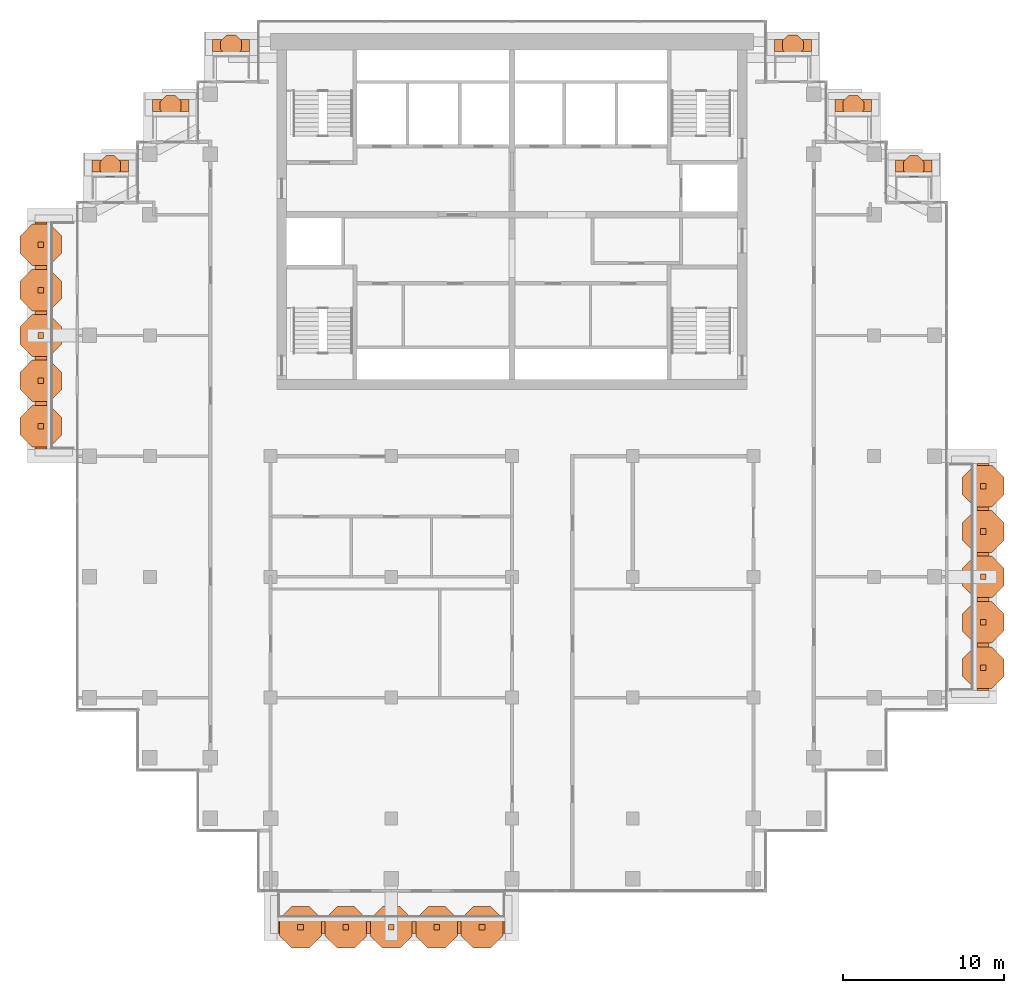
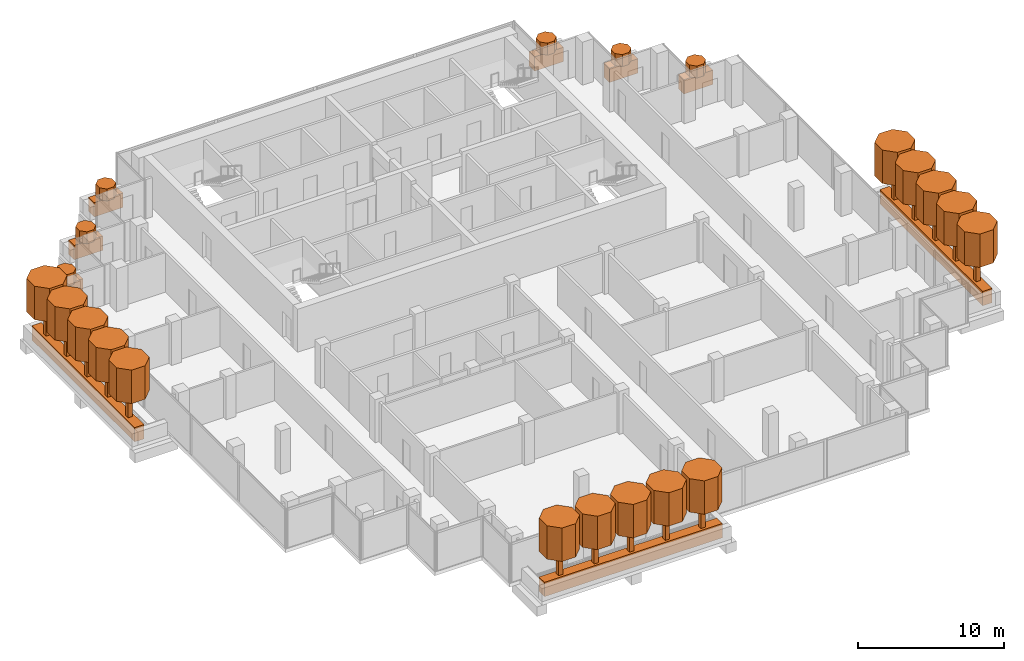
# One storey, part 18 of 18: 45 geographic elements.
"""IFC4 building model written with IfcOpenShell, lengths in metres."""

from ifc_helpers import new_model, si_unit, direction, frame, origin, origin_2d, place, context, subcontext, project, spatial, polyline, rectangle, outline, extrude, material, material_profile, profile_set, type_object, element, save


model = new_model("IFC4")

# Units and contexts
model_context = context("Model", 3, precision=1e-05, world=origin(), true_north=direction((0.0, 1.0)))
body_context = subcontext(model_context, "Body", "Model", "MODEL_VIEW")
ifc_project = project(units=[si_unit("LENGTHUNIT", "METRE"), si_unit("AREAUNIT", "SQUARE_METRE"), si_unit("VOLUMEUNIT", "CUBIC_METRE"), si_unit("PLANEANGLEUNIT", "RADIAN"), si_unit("MASSUNIT", "GRAM", prefix="KILO")], contexts=[model_context])

# Site, building, storey
site_placement = place(None, origin())
site = spatial("IfcSite", under=ifc_project, at=site_placement, CompositionType="ELEMENT")
building_placement = place(site_placement, origin())
building = spatial("IfcBuilding", under=site, at=building_placement, Name="Pilkhan Gate Tower", CompositionType="ELEMENT")
storey_placement = place(building_placement, frame((0.0, 0.0, 235.5)))
storey = spatial("IfcBuildingStorey", under=building, at=storey_placement, Name="L61", CompositionType="ELEMENT", Elevation=235.5)

# Geographic elements
ifc_material_1 = material(Name="Foliage")
ifc_material_profile_1 = material_profile(ifc_material_1, rectangle(XDim=0.75, YDim=1.199951171875, at=origin_2d()), Name="Bed 750x1200")
ifc_profile_set_1 = profile_set([ifc_material_profile_1], Name="Foliage")
geographic_element_type_1 = type_object("IfcGeographicElementType", Name="Planting bed PB1", PredefinedType="USERDEFINED", material=ifc_profile_set_1)
for number, where, z_axis, x_axis, name in (
    (1, (60.449951171875, 38.22509765625, 0.60009765625), (1.0, 0.0, 0.0), (0.0, 1.0, 0.0), "Balcony L61 S planting bed"),
    (2, (104.27490234375, 52.949951171875, 0.60009765625), (0.0, 1.0, 0.0), (-1.0, 0.0, 0.0), "Balcony L61 E planting bed"),
):
    element("IfcGeographicElement", number, at=place(storey_placement, frame(where, z_axis=z_axis, x_axis=x_axis)), inside=storey, type_object=geographic_element_type_1, Name=name, ObjectType="PLANTING BED", PredefinedType="USERDEFINED", context=body_context, shape_type="SweptSolid", body=[
        extrude(rectangle(XDim=0.75, YDim=1.199951171875, at=origin_2d()), origin(), (0.0, 0.0, 1.0), 14.10009765625),
    ])
for number, where, z_axis, x_axis, name in (
    (3, (56.39990234375, 93.02490234375, 0.60009765625), (1.0, 0.0, 0.0), (0.0, 1.0, 0.0), "Balcony L61 N planting bed"),
    (4, (91.300048828125, 93.02490234375, 0.60009765625), (1.0, 0.0, 0.0), (0.0, 1.0, 0.0), "Balcony L61 N planting bed"),
):
    element("IfcGeographicElement", number, at=place(storey_placement, frame(where, z_axis=z_axis, x_axis=x_axis)), inside=storey, type_object=geographic_element_type_1, Name=name, ObjectType="PLANTING BED", PredefinedType="USERDEFINED", context=body_context, shape_type="SweptSolid", body=[
        extrude(rectangle(XDim=0.75, YDim=1.199951171875, at=origin_2d()), origin(), (0.0, 0.0, 1.0), 2.300048828125),
    ])
for number, where, z_axis, x_axis, name in (
    (5, (52.64990234375, 89.27490234375, 0.60009765625), (1.0, 0.0, 0.0), (0.0, 1.0, 0.0), "Balcony L61 N planting bed"),
    (6, (48.89990234375, 85.52490234375, 0.60009765625), (1.0, 0.0, 0.0), (0.0, 1.0, 0.0), "Balcony L61 N planting bed"),
    (7, (95.070068359375, 89.27490234375, 0.60009765625), (1.0, 0.0, 0.0), (0.0, 1.0, 0.0), "Balcony L61 N planting bed"),
    (8, (98.820068359375, 85.52490234375, 0.60009765625), (1.0, 0.0, 0.0), (0.0, 1.0, 0.0), "Balcony L61 N planting bed"),
):
    element("IfcGeographicElement", number, at=place(storey_placement, frame(where, z_axis=z_axis, x_axis=x_axis)), inside=storey, type_object=geographic_element_type_1, Name=name, ObjectType="PLANTING BED", PredefinedType="USERDEFINED", context=body_context, shape_type="SweptSolid", body=[
        extrude(rectangle(XDim=0.75, YDim=1.199951171875, at=origin_2d()), origin(), (0.0, 0.0, 1.0), 2.280029296875),
    ])
geographic_element_placement = place(storey_placement, frame((45.72509765625, 67.949951171875, 0.60009765625), z_axis=(0.0, 1.0, 0.0), x_axis=(-1.0, 0.0, 0.0)))
element("IfcGeographicElement", 9, at=geographic_element_placement, inside=storey, type_object=geographic_element_type_1, Name="Balcony L61 W planting bed", ObjectType="PLANTING BED", PredefinedType="USERDEFINED", context=body_context, shape_type="SweptSolid", body=[
    extrude(rectangle(XDim=0.75, YDim=1.199951171875, at=origin_2d()), origin(), (0.0, 0.0, 1.0), 14.10009765625),
])
ifc_material_profile_2 = material_profile(ifc_material_1, outline(polyline([(0.646728515625, 0.267822265625), (0.267822265625, 0.646728515625), (-0.267822265625, 0.646728515625), (-0.646728515625, 0.267822265625), (-0.646728515625, -0.267822265625), (-0.267822265625, -0.646728515625), (0.267822265625, -0.646728515625), (0.646728515625, -0.267822265625), (0.646728515625, 0.267822265625)])), Name="Shrub D1.4")
ifc_profile_set_2 = profile_set([ifc_material_profile_2], Name="Foliage")
geographic_element_type_2 = type_object("IfcGeographicElementType", Name="Shrub SH07", PredefinedType="USERDEFINED", material=ifc_profile_set_2)
for number, where, z_axis, x_axis, name in (
    (10, (57.550048828125, 93.02490234375, 1.199951171875), (0.0, 0.0, 1.0), (1.0, 0.0, 0.0), "Shrub L61 N 1"),
    (11, (92.449951171875, 93.02490234375, 1.199951171875), (0.0, 0.0, 1.0), (1.0, 0.0, 0.0), "Shrub L61 N 1"),
    (12, (53.7900390625, 89.27490234375, 1.199951171875), (0.0, 0.0, 1.0), (1.0, 0.0, 0.0), "Shrub L61 N 1"),
    (13, (50.0400390625, 85.52490234375, 1.199951171875), (0.0, 0.0, 1.0), (1.0, 0.0, 0.0), "Shrub L61 N 1"),
    (14, (96.2099609375, 89.27490234375, 1.199951171875), (0.0, 0.0, 1.0), (1.0, 0.0, 0.0), "Shrub L61 N 1"),
    (15, (99.9599609375, 85.52490234375, 1.199951171875), (0.0, 0.0, 1.0), (1.0, 0.0, 0.0), "Shrub L61 N 1"),
):
    element("IfcGeographicElement", number, at=place(storey_placement, frame(where, z_axis=z_axis, x_axis=x_axis)), inside=storey, type_object=geographic_element_type_2, Name=name, ObjectType="SHRUB", PredefinedType="USERDEFINED", context=body_context, shape_type="SweptSolid", body=[
        extrude(outline(polyline([(0.646728515625, 0.267822265625), (0.267822265625, 0.646728515625), (-0.267822265625, 0.646728515625), (-0.646728515625, 0.267822265625), (-0.646728515625, -0.267822265625), (-0.267822265625, -0.646728515625), (0.267822265625, -0.646728515625), (0.646728515625, -0.267822265625), (0.646728515625, 0.267822265625)])), origin(), (0.0, 0.0, 1.0), 1.0),
    ])
ifc_material_profile_3 = material_profile(ifc_material_1, outline(polyline([(1.29345703125, 0.535888671875), (0.535888671875, 1.29345703125), (-0.535888671875, 1.29345703125), (-1.29345703125, 0.535888671875), (-1.29345703125, -0.535888671875), (-0.535888671875, -1.29345703125), (0.535888671875, -1.29345703125), (1.29345703125, -0.535888671875), (1.29345703125, 0.535888671875)])), Name="Canopy D2.8")
ifc_profile_set_3 = profile_set([ifc_material_profile_3], Name="Foliage")
geographic_element_type_3 = type_object("IfcGeographicElementType", Name="Tree canopy TC14", PredefinedType="USERDEFINED", material=ifc_profile_set_3)
for number, where, z_axis, x_axis, name in (
    (16, (61.860107421875, 38.22509765625, 3.199951171875), (0.0, 0.0, 1.0), (1.0, 0.0, 0.0), "Tree L61 S 1 canopy"),
    (17, (64.679931640625, 38.22509765625, 3.199951171875), (0.0, 0.0, 1.0), (1.0, 0.0, 0.0), "Tree L61 S 2 canopy"),
    (18, (67.5, 38.22509765625, 3.199951171875), (0.0, 0.0, 1.0), (1.0, 0.0, 0.0), "Tree L61 S 3 canopy"),
    (19, (70.320068359375, 38.22509765625, 3.199951171875), (0.0, 0.0, 1.0), (1.0, 0.0, 0.0), "Tree L61 S 4 canopy"),
    (20, (73.139892578125, 38.22509765625, 3.199951171875), (0.0, 0.0, 1.0), (1.0, 0.0, 0.0), "Tree L61 S 5 canopy"),
    (21, (104.27490234375, 54.360107421875, 3.199951171875), (0.0, 0.0, 1.0), (1.0, 0.0, 0.0), "Tree L61 E 1 canopy"),
    (22, (104.27490234375, 57.179931640625, 3.199951171875), (0.0, 0.0, 1.0), (1.0, 0.0, 0.0), "Tree L61 E 2 canopy"),
    (23, (104.27490234375, 60.0, 3.199951171875), (0.0, 0.0, 1.0), (1.0, 0.0, 0.0), "Tree L61 E 3 canopy"),
    (24, (104.27490234375, 62.820068359375, 3.199951171875), (0.0, 0.0, 1.0), (1.0, 0.0, 0.0), "Tree L61 E 4 canopy"),
    (25, (104.27490234375, 65.639892578125, 3.199951171875), (0.0, 0.0, 1.0), (1.0, 0.0, 0.0), "Tree L61 E 5 canopy"),
    (26, (45.72509765625, 69.360107421875, 3.199951171875), (0.0, 0.0, 1.0), (1.0, 0.0, 0.0), "Tree L61 W 1 canopy"),
    (27, (45.72509765625, 72.179931640625, 3.199951171875), (0.0, 0.0, 1.0), (1.0, 0.0, 0.0), "Tree L61 W 2 canopy"),
    (28, (45.72509765625, 75.0, 3.199951171875), (0.0, 0.0, 1.0), (1.0, 0.0, 0.0), "Tree L61 W 3 canopy"),
    (29, (45.72509765625, 77.820068359375, 3.199951171875), (0.0, 0.0, 1.0), (1.0, 0.0, 0.0), "Tree L61 W 4 canopy"),
    (30, (45.72509765625, 80.639892578125, 3.199951171875), (0.0, 0.0, 1.0), (1.0, 0.0, 0.0), "Tree L61 W 5 canopy"),
):
    element("IfcGeographicElement", number, at=place(storey_placement, frame(where, z_axis=z_axis, x_axis=x_axis)), inside=storey, type_object=geographic_element_type_3, Name=name, ObjectType="TREE", PredefinedType="USERDEFINED", context=body_context, shape_type="SweptSolid", body=[
        extrude(outline(polyline([(1.29345703125, 0.535888671875), (0.535888671875, 1.29345703125), (-0.535888671875, 1.29345703125), (-1.29345703125, 0.535888671875), (-1.29345703125, -0.535888671875), (-0.535888671875, -1.29345703125), (0.535888671875, -1.29345703125), (1.29345703125, -0.535888671875), (1.29345703125, 0.535888671875)])), origin(), (0.0, 0.0, 1.0), 2.800048828125),
    ])
ifc_material_2 = material(Name="Timber trunk", Category="wood")
geographic_element_type_4 = type_object("IfcGeographicElementType", Name="Tree trunk TT1", PredefinedType="USERDEFINED", material=ifc_material_2)
for number, where, z_axis, x_axis, name in (
    (31, (61.860107421875, 38.22509765625, 1.199951171875), (0.0, 0.0, 1.0), (1.0, 0.0, 0.0), "Tree L61 S 1 trunk"),
    (32, (64.679931640625, 38.22509765625, 1.199951171875), (0.0, 0.0, 1.0), (1.0, 0.0, 0.0), "Tree L61 S 2 trunk"),
    (33, (67.5, 38.22509765625, 1.199951171875), (0.0, 0.0, 1.0), (1.0, 0.0, 0.0), "Tree L61 S 3 trunk"),
    (34, (70.320068359375, 38.22509765625, 1.199951171875), (0.0, 0.0, 1.0), (1.0, 0.0, 0.0), "Tree L61 S 4 trunk"),
    (35, (73.139892578125, 38.22509765625, 1.199951171875), (0.0, 0.0, 1.0), (1.0, 0.0, 0.0), "Tree L61 S 5 trunk"),
    (36, (104.27490234375, 54.360107421875, 1.199951171875), (0.0, 0.0, 1.0), (1.0, 0.0, 0.0), "Tree L61 E 1 trunk"),
    (37, (104.27490234375, 57.179931640625, 1.199951171875), (0.0, 0.0, 1.0), (1.0, 0.0, 0.0), "Tree L61 E 2 trunk"),
    (38, (104.27490234375, 60.0, 1.199951171875), (0.0, 0.0, 1.0), (1.0, 0.0, 0.0), "Tree L61 E 3 trunk"),
    (39, (104.27490234375, 62.820068359375, 1.199951171875), (0.0, 0.0, 1.0), (1.0, 0.0, 0.0), "Tree L61 E 4 trunk"),
    (40, (104.27490234375, 65.639892578125, 1.199951171875), (0.0, 0.0, 1.0), (1.0, 0.0, 0.0), "Tree L61 E 5 trunk"),
    (41, (45.72509765625, 69.360107421875, 1.199951171875), (0.0, 0.0, 1.0), (1.0, 0.0, 0.0), "Tree L61 W 1 trunk"),
    (42, (45.72509765625, 72.179931640625, 1.199951171875), (0.0, 0.0, 1.0), (1.0, 0.0, 0.0), "Tree L61 W 2 trunk"),
    (43, (45.72509765625, 75.0, 1.199951171875), (0.0, 0.0, 1.0), (1.0, 0.0, 0.0), "Tree L61 W 3 trunk"),
    (44, (45.72509765625, 77.820068359375, 1.199951171875), (0.0, 0.0, 1.0), (1.0, 0.0, 0.0), "Tree L61 W 4 trunk"),
    (45, (45.72509765625, 80.639892578125, 1.199951171875), (0.0, 0.0, 1.0), (1.0, 0.0, 0.0), "Tree L61 W 5 trunk"),
):
    element("IfcGeographicElement", number, at=place(storey_placement, frame(where, z_axis=z_axis, x_axis=x_axis)), inside=storey, type_object=geographic_element_type_4, Name=name, ObjectType="TREE", PredefinedType="USERDEFINED", context=body_context, shape_type="SweptSolid", body=[
        extrude(rectangle(XDim=0.35009765625, YDim=0.35009765625, at=origin_2d()), origin(), (0.0, 0.0, 1.0), 2.0),
    ])

save(model, "model.ifc")
